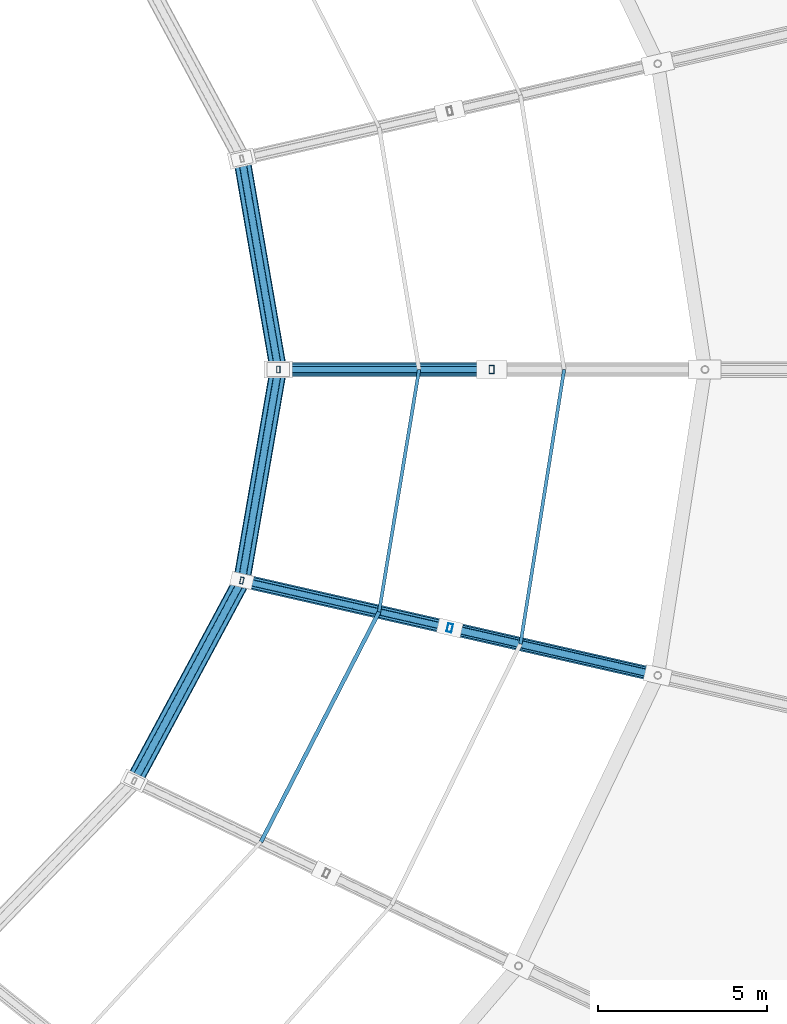
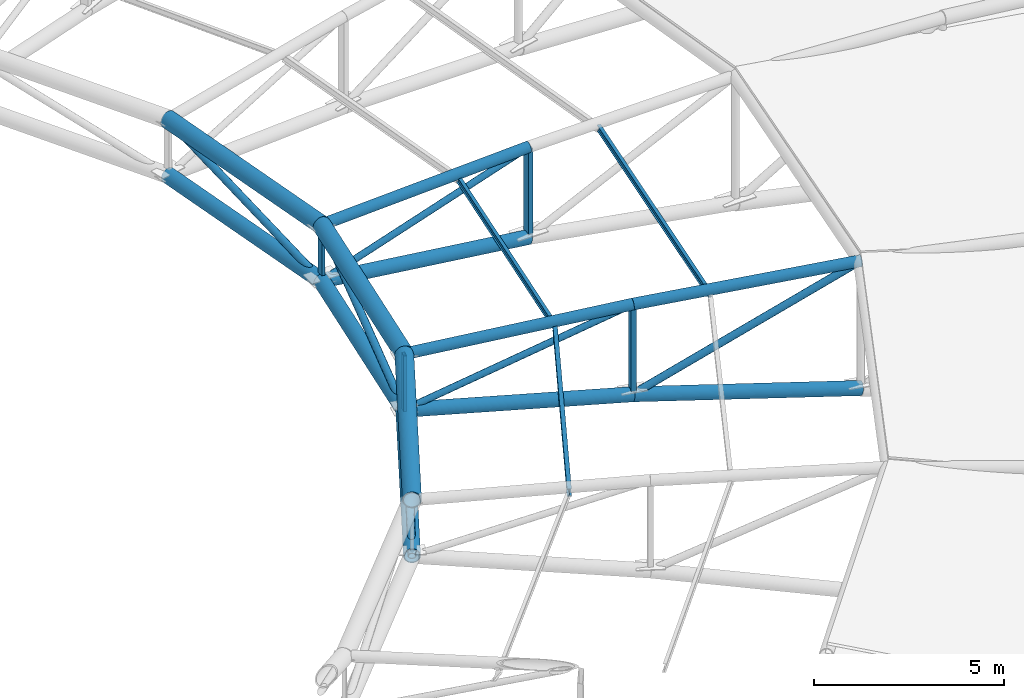
# One storey, part 69 of 108: 25 members.
"""IFC4 building model written with IfcOpenShell, lengths in metres."""

from ifc_helpers import new_model, si_unit, direction, frame, origin, origin_2d, place, context, subcontext, project, spatial, hollow_rectangle, hollow_circle, i_section, extrude, material, material_profile, profile_set, type_object, element, save


model = new_model("IFC4")

# Units and contexts
model_context = context("Model", 3, precision=1e-05, world=origin(), true_north=direction((0.0, 1.0)))
body_context = subcontext(model_context, "Body", "Model", "MODEL_VIEW")
ifc_project = project(units=[si_unit("LENGTHUNIT", "METRE"), si_unit("AREAUNIT", "SQUARE_METRE"), si_unit("VOLUMEUNIT", "CUBIC_METRE"), si_unit("PLANEANGLEUNIT", "RADIAN"), si_unit("MASSUNIT", "GRAM", prefix="KILO")], contexts=[model_context])

# Site, building, storey
site_placement = place(None, origin())
site = spatial("IfcSite", under=ifc_project, at=site_placement, CompositionType="ELEMENT")
building_placement = place(site_placement, origin())
building = spatial("IfcBuilding", under=site, at=building_placement, Name="Zevraka Park Crest Stadium", CompositionType="ELEMENT")
storey_placement = place(building_placement, frame((0.0, 0.0, 29.39990234375)))
storey = spatial("IfcBuildingStorey", under=building, at=storey_placement, Name="RF", CompositionType="ELEMENT", Elevation=29.39990234375)

# Members
ifc_material_1 = material(Name="Steel S355", Category="steel")
ifc_material_profile_1 = material_profile(ifc_material_1, i_section(OverallWidth=0.1201171875, OverallDepth=0.239990234375, WebThickness=0.006103515625, FlangeThickness=0.009765625, at=origin_2d()), Name="IPE 240")
ifc_profile_set_1 = profile_set([ifc_material_profile_1], Name="Steel S355")
member_type_1 = type_object("IfcMemberType", Name="PR01", PredefinedType="PURLIN", material=ifc_profile_set_1)
member_1_placement = place(storey_placement, frame((154.488037109375, 78.047119140625, 9.01708984375), z_axis=(0.456571603889, 0.889686669858, 0.0), x_axis=(-0.889686669858, 0.456571603889, 0.0)))
element("IfcMember", 1, at=member_1_placement, inside=storey, type_object=member_type_1, Name="Canopy Roof Purlin PR01 INNER-27-2", PredefinedType="PURLIN", context=body_context, shape_type="SweptSolid", body=[
    extrude(i_section(OverallWidth=0.1201171875, OverallDepth=0.239990234375, WebThickness=0.006103515625, FlangeThickness=0.009765625, at=origin_2d()), origin(), (0.0, 0.0, 1.0), 7.6396484375),
])
ifc_material_2 = material(Name="Steel S355", Category="steel")
ifc_material_profile_2 = material_profile(ifc_material_2, i_section(OverallWidth=0.10009765625, OverallDepth=0.199951171875, WebThickness=0.005615234375, FlangeThickness=0.008544921875, at=origin_2d()), Name="IPE 200")
ifc_profile_set_2 = profile_set([ifc_material_profile_2], Name="Steel S355")
member_type_2 = type_object("IfcMemberType", Name="PR03", PredefinedType="PURLIN", material=ifc_profile_set_2)
member_2_placement = place(storey_placement, frame((162.152099609375, 83.89111328125, 9.173095703125), z_axis=(0.157084730465, 0.987585129219, 0.0), x_axis=(-0.987585129219, 0.157084730465, 0.0)))
element("IfcMember", 2, at=member_2_placement, inside=storey, type_object=member_type_2, Name="Canopy Roof Purlin PR03 INNER-28-1", PredefinedType="PURLIN", context=body_context, shape_type="SweptSolid", body=[
    extrude(i_section(OverallWidth=0.10009765625, OverallDepth=0.199951171875, WebThickness=0.005615234375, FlangeThickness=0.008544921875, at=origin_2d()), origin(), (0.0, 0.0, 1.0), 8.2109375),
])
member_3_placement = place(storey_placement, frame((157.97607421875, 84.843994140625, 9.037109375), z_axis=(0.162952302603, 0.986633947863, 0.0), x_axis=(-0.986633947863, 0.162952302603, 0.0)))
element("IfcMember", 3, at=member_3_placement, inside=storey, type_object=member_type_2, Name="Canopy Roof Purlin PR03 INNER-28-2", PredefinedType="PURLIN", context=body_context, shape_type="SweptSolid", body=[
    extrude(i_section(OverallWidth=0.10009765625, OverallDepth=0.199951171875, WebThickness=0.005615234375, FlangeThickness=0.008544921875, at=origin_2d()), origin(), (0.0, 0.0, 1.0), 7.2529296875),
])
ifc_material_3 = material(Name="Steel S355", Category="steel")
ifc_material_profile_3 = material_profile(ifc_material_3, hollow_circle(Radius=0.25390625, WallThickness=0.030029296875, at=origin_2d()), Name="CHS 508.0x30")
ifc_profile_set_3 = profile_set([ifc_material_profile_3], Name="Steel S355")
member_type_3 = type_object("IfcMemberType", Name="TC01", PredefinedType="CHORD", material=ifc_profile_set_3)
member_4_placement = place(storey_placement, frame((155.0, 92.0, 9.0), z_axis=(-0.170456369682, 0.985365224693, 0.0), x_axis=(-0.985365224693, -0.170456369682, 0.0)))
element("IfcMember", 4, at=member_4_placement, inside=storey, type_object=member_type_3, Name="Roof Inner Oculus Compression-Tension Ring TC01 01", PredefinedType="CHORD", context=body_context, shape_type="SweptSolid", body=[
    extrude(hollow_circle(Radius=0.25390625, WallThickness=0.030029296875, at=origin_2d()), origin(), (0.0, 0.0, 1.0), 6.323486328125),
])
member_5_placement = place(storey_placement, frame((150.741943359375, 79.85107421875, 9.0), z_axis=(0.473358528997, 0.880869855896, 0.0), x_axis=(-0.880869855896, 0.473358528997, 0.0)))
element("IfcMember", 5, at=member_5_placement, inside=storey, type_object=member_type_3, Name="Roof Inner Oculus Compression-Tension Ring TC01 27", PredefinedType="CHORD", context=body_context, shape_type="SweptSolid", body=[
    extrude(hollow_circle(Radius=0.25390625, WallThickness=0.030029296875, at=origin_2d()), origin(), (0.0, 0.0, 1.0), 6.71826171875),
])
member_6_placement = place(storey_placement, frame((153.922119140625, 85.76904296875, 9.0), z_axis=(0.170456369682, 0.985365224693, 0.0), x_axis=(-0.985365224693, 0.170456369682, 0.0)))
element("IfcMember", 6, at=member_6_placement, inside=storey, type_object=member_type_3, Name="Roof Inner Oculus Compression-Tension Ring TC01 28", PredefinedType="CHORD", context=body_context, shape_type="SweptSolid", body=[
    extrude(hollow_circle(Radius=0.25390625, WallThickness=0.030029296875, at=origin_2d()), origin(), (0.0, 0.0, 1.0), 6.323486328125),
])
ifc_material_4 = material(Name="Steel S355", Category="steel")
ifc_material_profile_4 = material_profile(ifc_material_4, hollow_circle(Radius=0.228515625, WallThickness=0.02490234375, at=origin_2d()), Name="CHS 457.0x25")
ifc_profile_set_4 = profile_set([ifc_material_profile_4], Name="Steel S355")
member_type_4 = type_object("IfcMemberType", Name="TC02", PredefinedType="CHORD", material=ifc_profile_set_4)
member_7_placement = place(storey_placement, frame((155.0, 92.0, 7.2001953125), z_axis=(-0.170456369682, 0.985365224693, 0.0), x_axis=(-0.985365224693, -0.170456369682, 0.0)))
element("IfcMember", 7, at=member_7_placement, inside=storey, type_object=member_type_4, Name="Roof Inner Oculus Bottom Ring TC02 01", PredefinedType="CHORD", context=body_context, shape_type="SweptSolid", body=[
    extrude(hollow_circle(Radius=0.228515625, WallThickness=0.02490234375, at=origin_2d()), origin(), (0.0, 0.0, 1.0), 6.323486328125),
])
member_8_placement = place(storey_placement, frame((150.741943359375, 79.85107421875, 7.2001953125), z_axis=(0.473358528997, 0.880869855896, 0.0), x_axis=(-0.880869855896, 0.473358528997, 0.0)))
element("IfcMember", 8, at=member_8_placement, inside=storey, type_object=member_type_4, Name="Roof Inner Oculus Bottom Ring TC02 27", PredefinedType="CHORD", context=body_context, shape_type="SweptSolid", body=[
    extrude(hollow_circle(Radius=0.228515625, WallThickness=0.02490234375, at=origin_2d()), origin(), (0.0, 0.0, 1.0), 6.71826171875),
])
member_9_placement = place(storey_placement, frame((153.922119140625, 85.76904296875, 7.2001953125), z_axis=(0.170456369682, 0.985365224693, 0.0), x_axis=(-0.985365224693, 0.170456369682, 0.0)))
element("IfcMember", 9, at=member_9_placement, inside=storey, type_object=member_type_4, Name="Roof Inner Oculus Bottom Ring TC02 28", PredefinedType="CHORD", context=body_context, shape_type="SweptSolid", body=[
    extrude(hollow_circle(Radius=0.228515625, WallThickness=0.02490234375, at=origin_2d()), origin(), (0.0, 0.0, 1.0), 6.323486328125),
])
ifc_material_5 = material(Name="Steel S355", Category="steel")
ifc_material_profile_5 = material_profile(ifc_material_5, hollow_circle(Radius=0.203125, WallThickness=0.02001953125, at=origin_2d()), Name="CHS 406.4x20")
ifc_profile_set_5 = profile_set([ifc_material_profile_5], Name="Steel S355")
member_type_5 = type_object("IfcMemberType", Name="TC03", PredefinedType="CHORD", material=ifc_profile_set_5)
member_10_placement = place(storey_placement, frame((161.300048828125, 92.0, 6.400146484375), z_axis=(-0.992032890363, 0.0, 0.125979142868), x_axis=(0.0, -1.0, 0.0)))
element("IfcMember", 10, at=member_10_placement, inside=storey, type_object=member_type_5, Name="Roof Truss Bottom Chord TC03 T01-7", PredefinedType="CHORD", context=body_context, shape_type="SweptSolid", body=[
    extrude(hollow_circle(Radius=0.203125, WallThickness=0.02001953125, at=origin_2d()), origin(), (0.0, 0.0, 1.0), 6.3505859375),
])
member_11_placement = place(storey_placement, frame((166.2060546875, 82.966064453125, 5.300048828125), z_axis=(-0.960397219196, 0.219198697536, 0.172014860867), x_axis=(-0.222515433667, -0.974929167571, 0.0)))
element("IfcMember", 11, at=member_11_placement, inside=storey, type_object=member_type_5, Name="Roof Truss Bottom Chord TC03 T28-6", PredefinedType="CHORD", context=body_context, shape_type="SweptSolid", body=[
    extrude(hollow_circle(Radius=0.203125, WallThickness=0.02001953125, at=origin_2d()), origin(), (0.0, 0.0, 1.0), 6.395263671875),
])
member_12_placement = place(storey_placement, frame((160.06396484375, 84.367919921875, 6.400146484375), z_axis=(-0.967183906339, 0.22064111136, 0.12598726641), x_axis=(-0.222413332215, -0.97495246533, 0.0)))
element("IfcMember", 12, at=member_12_placement, inside=storey, type_object=member_type_5, Name="Roof Truss Bottom Chord TC03 T28-7", PredefinedType="CHORD", context=body_context, shape_type="SweptSolid", body=[
    extrude(hollow_circle(Radius=0.203125, WallThickness=0.02001953125, at=origin_2d()), origin(), (0.0, 0.0, 1.0), 6.350341796875),
])
ifc_material_6 = material(Name="Steel S355", Category="steel")
ifc_material_profile_6 = material_profile(ifc_material_6, hollow_circle(Radius=0.161865234375, WallThickness=0.01611328125, at=origin_2d()), Name="CHS 323.9x16")
ifc_profile_set_6 = profile_set([ifc_material_profile_6], Name="Steel S355")
member_type_6 = type_object("IfcMemberType", Name="TC04", PredefinedType="CHORD", material=ifc_profile_set_6)
member_13_placement = place(storey_placement, frame((161.300048828125, 92.0, 9.300048828125), z_axis=(-0.998867787396, 0.0, -0.047572505743), x_axis=(0.0, -1.0, 0.0)))
element("IfcMember", 13, at=member_13_placement, inside=storey, type_object=member_type_6, Name="Roof Truss Top Chord TC04 T01-7", PredefinedType="CHORD", context=body_context, shape_type="SweptSolid", body=[
    extrude(hollow_circle(Radius=0.161865234375, WallThickness=0.01611328125, at=origin_2d()), origin(), (0.0, 0.0, 1.0), 6.30712890625),
])
member_14_placement = place(storey_placement, frame((166.2060546875, 82.966064453125, 9.400146484375), z_axis=(-0.974806134329, 0.222487352863, -0.015886418438), x_axis=(-0.222515433667, -0.974929167571, 0.0)))
element("IfcMember", 14, at=member_14_placement, inside=storey, type_object=member_type_6, Name="Roof Truss Top Chord TC04 T28-6", PredefinedType="CHORD", context=body_context, shape_type="SweptSolid", body=[
    extrude(hollow_circle(Radius=0.161865234375, WallThickness=0.01611328125, at=origin_2d()), origin(), (0.0, 0.0, 1.0), 6.30078125),
])
member_15_placement = place(storey_placement, frame((160.06396484375, 84.367919921875, 9.300048828125), z_axis=(-0.973848467445, 0.222161480092, -0.047575615792), x_axis=(-0.222413332215, -0.97495246533, 0.0)))
element("IfcMember", 15, at=member_15_placement, inside=storey, type_object=member_type_6, Name="Roof Truss Top Chord TC04 T28-7", PredefinedType="CHORD", context=body_context, shape_type="SweptSolid", body=[
    extrude(hollow_circle(Radius=0.161865234375, WallThickness=0.01611328125, at=origin_2d()), origin(), (0.0, 0.0, 1.0), 6.306884765625),
])
ifc_material_7 = material(Name="Steel S355", Category="steel")
ifc_material_profile_7 = material_profile(ifc_material_7, hollow_circle(Radius=0.109619140625, WallThickness=0.010009765625, at=origin_2d()), Name="CHS 219.1x10")
ifc_profile_set_7 = profile_set([ifc_material_profile_7], Name="Steel S355")
member_type_7 = type_object("IfcMemberType", Name="WB02", PredefinedType="BRACE", material=ifc_profile_set_7)
member_16_placement = place(storey_placement, frame((160.06396484375, 84.367919921875, 6.400146484375), z_axis=(0.880226010017, -0.200900618074, 0.429931521229), x_axis=(0.222515433667, 0.974929167571, 0.0)))
element("IfcMember", 16, at=member_16_placement, inside=storey, type_object=member_type_7, Name="Roof Truss Web Diagonal WB02 T28-6", PredefinedType="BRACE", context=body_context, shape_type="SweptSolid", body=[
    extrude(hollow_circle(Radius=0.109619140625, WallThickness=0.010009765625, at=origin_2d()), origin(), (0.0, 0.0, 1.0), 6.977783203125),
])
member_17_placement = place(storey_placement, frame((155.0, 92.0, 7.2001953125), z_axis=(-0.163945117991, 0.947725323073, 0.2737493567), x_axis=(-0.985365224693, -0.170456369682, 0.0)))
element("IfcMember", 17, at=member_17_placement, inside=storey, type_object=member_type_7, Name="Roof Oculus Ring Brace WB02 01", PredefinedType="BRACE", context=body_context, shape_type="SweptSolid", body=[
    extrude(hollow_circle(Radius=0.109619140625, WallThickness=0.010009765625, at=origin_2d()), origin(), (0.0, 0.0, 1.0), 6.57470703125),
])
member_18_placement = place(storey_placement, frame((150.741943359375, 79.85107421875, 7.2001953125), z_axis=(0.457235432821, 0.850866489451, 0.258770122122), x_axis=(-0.880869855896, 0.473358528997, 0.0)))
element("IfcMember", 18, at=member_18_placement, inside=storey, type_object=member_type_7, Name="Roof Oculus Ring Brace WB02 27", PredefinedType="BRACE", context=body_context, shape_type="SweptSolid", body=[
    extrude(hollow_circle(Radius=0.109619140625, WallThickness=0.010009765625, at=origin_2d()), origin(), (0.0, 0.0, 1.0), 6.955322265625),
])
member_19_placement = place(storey_placement, frame((153.922119140625, 85.76904296875, 7.2001953125), z_axis=(0.163945117991, 0.947725323073, 0.2737493567), x_axis=(-0.985365224693, 0.170456369682, 0.0)))
element("IfcMember", 19, at=member_19_placement, inside=storey, type_object=member_type_7, Name="Roof Oculus Ring Brace WB02 28", PredefinedType="BRACE", context=body_context, shape_type="SweptSolid", body=[
    extrude(hollow_circle(Radius=0.109619140625, WallThickness=0.010009765625, at=origin_2d()), origin(), (0.0, 0.0, 1.0), 6.57470703125),
])
ifc_material_8 = material(Name="Steel S355", Category="steel")
ifc_material_profile_8 = material_profile(ifc_material_8, hollow_rectangle(XDim=0.14990234375, YDim=0.25, WallThickness=0.010009765625, at=origin_2d()), Name="RHS 250x150x10")
ifc_profile_set_8 = profile_set([ifc_material_profile_8], Name="Steel S355")
member_type_8 = type_object("IfcMemberType", Name="WB04", PredefinedType="BRACE", material=ifc_profile_set_8)
for number, where, z_axis, x_axis, name in (
    (20, (161.300048828125, 92.0, 6.400146484375), (0.0, 0.0, 1.0), (1.0, 0.0, 0.0), "Roof Truss Web Post WB04 T01-6"),
    (21, (160.06396484375, 84.367919921875, 6.400146484375), (0.0, 0.0, 1.0), (-0.974916814618, 0.222569549971, 0.0), "Roof Truss Web Post WB04 T28-6"),
):
    element("IfcMember", number, at=place(storey_placement, frame(where, z_axis=z_axis, x_axis=x_axis)), inside=storey, type_object=member_type_8, Name=name, PredefinedType="BRACE", context=body_context, shape_type="SweptSolid", body=[
        extrude(hollow_rectangle(XDim=0.14990234375, YDim=0.25, WallThickness=0.010009765625, at=origin_2d()), origin(), (0.0, 0.0, 1.0), 2.89990234375),
    ])
ifc_material_9 = material(Name="Steel S355", Category="steel")
ifc_material_profile_9 = material_profile(ifc_material_9, hollow_rectangle(XDim=0.10009765625, YDim=0.199951171875, WallThickness=0.008056640625, at=origin_2d()), Name="RHS 200x100x8")
ifc_profile_set_9 = profile_set([ifc_material_profile_9], Name="Steel S355")
member_type_9 = type_object("IfcMemberType", Name="WB05", PredefinedType="BRACE", material=ifc_profile_set_9)
for number, where, z_axis, x_axis, name in (
    (22, (155.0, 92.0, 7.2001953125), (0.0, 0.0, 1.0), (1.0, 0.0, 0.0), "Roof Truss Web Post WB05 T01-7"),
    (23, (153.922119140625, 85.76904296875, 7.2001953125), (0.0, 0.0, 1.0), (-0.974916814618, 0.222569549971, 0.0), "Roof Truss Web Post WB05 T28-7"),
):
    element("IfcMember", number, at=place(storey_placement, frame(where, z_axis=z_axis, x_axis=x_axis)), inside=storey, type_object=member_type_9, Name=name, PredefinedType="BRACE", context=body_context, shape_type="SweptSolid", body=[
        extrude(hollow_rectangle(XDim=0.10009765625, YDim=0.199951171875, WallThickness=0.008056640625, at=origin_2d()), origin(), (0.0, 0.0, 1.0), 1.7998046875),
    ])
ifc_material_10 = material(Name="Steel S355", Category="steel")
ifc_material_profile_10 = material_profile(ifc_material_10, hollow_circle(Radius=0.096923828125, WallThickness=0.010009765625, at=origin_2d()), Name="CHS 193.7x10")
ifc_profile_set_10 = profile_set([ifc_material_profile_10], Name="Steel S355")
member_type_10 = type_object("IfcMemberType", Name="WB08", PredefinedType="BRACE", material=ifc_profile_set_10)
member_20_placement = place(storey_placement, frame((155.0, 92.0, 7.2001953125), z_axis=(0.94869065056, 0.0, 0.316205707633), x_axis=(0.0, 1.0, 0.0)))
element("IfcMember", 24, at=member_20_placement, inside=storey, type_object=member_type_10, Name="Roof Truss Web Diagonal WB08 T01-7", PredefinedType="BRACE", context=body_context, shape_type="SweptSolid", body=[
    extrude(hollow_circle(Radius=0.096923828125, WallThickness=0.010009765625, at=origin_2d()), origin(), (0.0, 0.0, 1.0), 6.640869140625),
])
member_21_placement = place(storey_placement, frame((153.922119140625, 85.76904296875, 7.2001953125), z_axis=(0.924922228877, -0.211000066444, 0.316224354675), x_axis=(0.222413332215, 0.97495246533, 0.0)))
element("IfcMember", 25, at=member_21_placement, inside=storey, type_object=member_type_10, Name="Roof Truss Web Diagonal WB08 T28-7", PredefinedType="BRACE", context=body_context, shape_type="SweptSolid", body=[
    extrude(hollow_circle(Radius=0.096923828125, WallThickness=0.010009765625, at=origin_2d()), origin(), (0.0, 0.0, 1.0), 6.640380859375),
])

save(model, "model.ifc")
